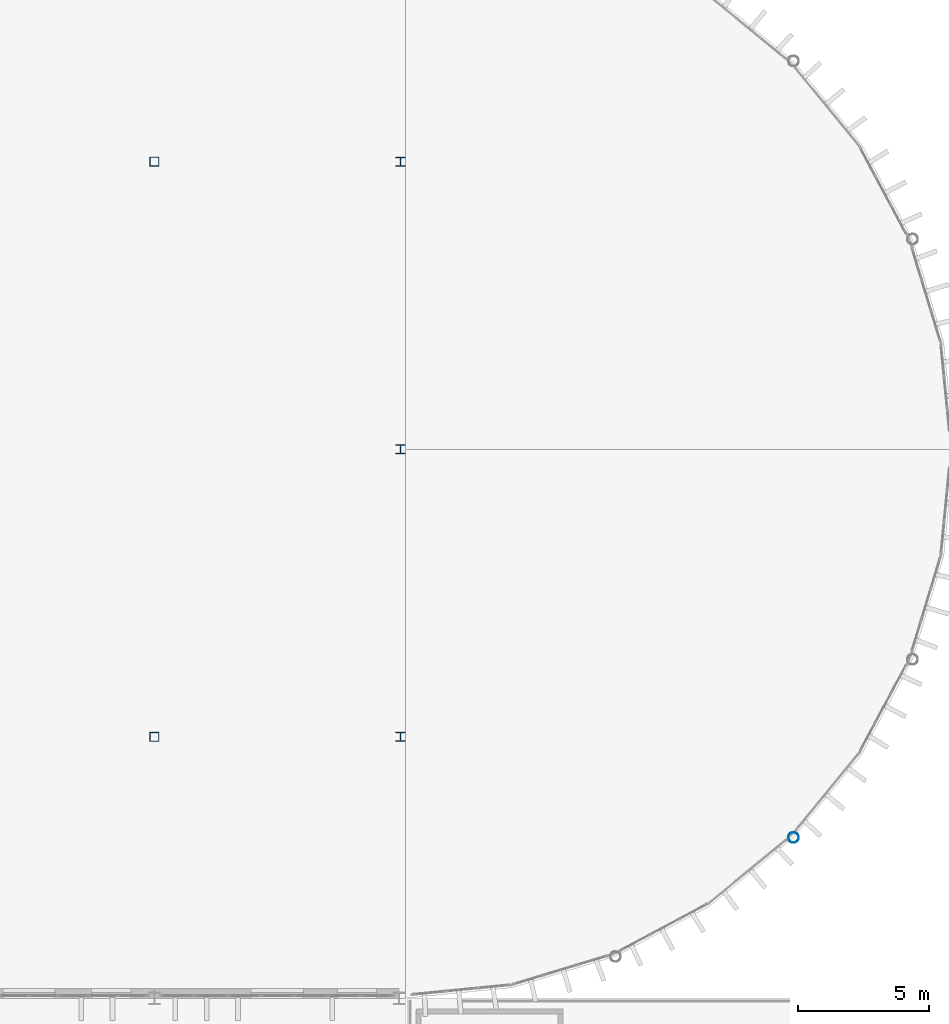
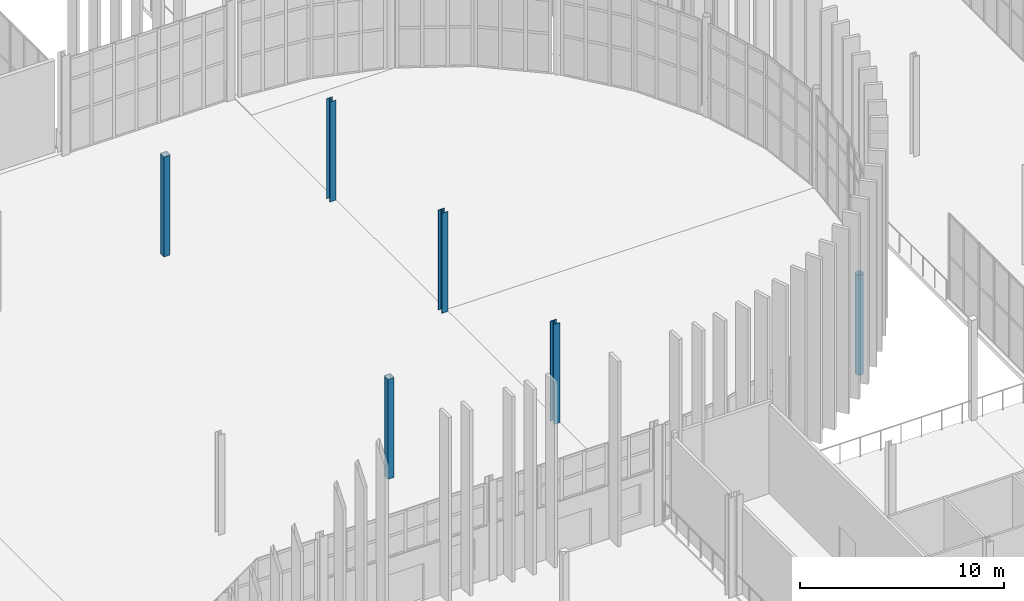
# One storey, part 19 of 139: 6 columns.
"""IFC4 building model written with IfcOpenShell, lengths in metres."""

from ifc_helpers import new_model, si_unit, direction, frame, origin, origin_2d, place, context, subcontext, project, spatial, hollow_rectangle, hollow_circle, i_section, extrude, material, material_profile, profile_set, type_object, element, save


model = new_model("IFC4")

# Units and contexts
model_context = context("Model", 3, precision=1e-05, world=origin(), true_north=direction((0.0, 1.0)))
body_context = subcontext(model_context, "Body", "Model", "MODEL_VIEW")
ifc_project = project(units=[si_unit("LENGTHUNIT", "METRE"), si_unit("AREAUNIT", "SQUARE_METRE"), si_unit("VOLUMEUNIT", "CUBIC_METRE"), si_unit("PLANEANGLEUNIT", "RADIAN"), si_unit("MASSUNIT", "GRAM", prefix="KILO")], contexts=[model_context])

# Site, building, storey
site_placement = place(None, origin())
site = spatial("IfcSite", under=ifc_project, at=site_placement, CompositionType="ELEMENT")
building_placement = place(site_placement, origin())
building = spatial("IfcBuilding", under=site, at=building_placement, Name="Yeouljin Market Hall", CompositionType="ELEMENT")
storey_placement = place(building_placement, origin())
storey = spatial("IfcBuildingStorey", under=building, at=storey_placement, Name="L00", CompositionType="ELEMENT", Elevation=0.0)

# Columns
ifc_material_1 = material(Name="Steel SM355", Category="steel")
ifc_material_profile_1 = material_profile(ifc_material_1, hollow_circle(Radius=0.203125, WallThickness=0.011962890625, at=origin_2d()), Name="CHS-406.4x12")
ifc_profile_set_1 = profile_set([ifc_material_profile_1], Name="Steel SM355")
column_type_1 = type_object("IfcColumnType", Name="Col_CHS-406.4x12", PredefinedType="COLUMN", material=ifc_profile_set_1)
column_placement = place(storey_placement, frame((155.84912109375, 42.15087890625, 0.0), z_axis=(0.0, 0.0, 1.0), x_axis=(1.0, 0.0, 0.0)))
element("IfcColumn", 1, at=column_placement, inside=storey, type_object=column_type_1, Name="Column AP-E04 (L00)", PredefinedType="COLUMN", context=body_context, shape_type="SweptSolid", body=[
    extrude(hollow_circle(Radius=0.203125, WallThickness=0.011962890625, at=origin_2d()), origin(), (0.0, 0.0, 1.0), 6.0),
])
ifc_material_2 = material(Name="Steel SM355", Category="steel")
ifc_material_profile_2 = material_profile(ifc_material_2, i_section(OverallWidth=0.35009765625, OverallDepth=0.35009765625, WebThickness=0.011962890625, FlangeThickness=0.01904296875, FilletRadius=0.02001953125, at=origin_2d()), Name="H-350x350x12x19")
ifc_profile_set_2 = profile_set([ifc_material_profile_2], Name="Steel SM355")
column_type_2 = type_object("IfcColumnType", Name="Col_H-350x350x12x19", PredefinedType="COLUMN", material=ifc_profile_set_2)
for number, where, z_axis, x_axis, name in (
    (2, (140.81005859375, 46.0, 0.0), (0.0, 0.0, 1.0), (1.0, 0.0, 0.0), "Column G-16-05 (L00)"),
    (3, (140.81005859375, 57.0, 0.0), (0.0, 0.0, 1.0), (1.0, 0.0, 0.0), "Column G-16-06 (L00)"),
    (4, (140.81005859375, 68.0, 0.0), (0.0, 0.0, 1.0), (1.0, 0.0, 0.0), "Column G-16-07 (L00)"),
):
    element("IfcColumn", number, at=place(storey_placement, frame(where, z_axis=z_axis, x_axis=x_axis)), inside=storey, type_object=column_type_2, Name=name, PredefinedType="COLUMN", context=body_context, shape_type="SweptSolid", body=[
        extrude(i_section(OverallWidth=0.35009765625, OverallDepth=0.35009765625, WebThickness=0.011962890625, FlangeThickness=0.01904296875, FilletRadius=0.02001953125, at=origin_2d()), origin(), (0.0, 0.0, 1.0), 6.0),
    ])
ifc_material_3 = material(Name="Steel SM355", Category="steel")
ifc_material_profile_3 = material_profile(ifc_material_3, hollow_rectangle(XDim=0.35009765625, YDim=0.35009765625, WallThickness=0.011962890625, InnerFilletRadius=0.011962890625, OuterFilletRadius=0.01611328125, at=origin_2d()), Name="SHS-350x350x12")
ifc_profile_set_3 = profile_set([ifc_material_profile_3], Name="Steel SM355")
column_type_3 = type_object("IfcColumnType", Name="Col_SHS-350x350x12", PredefinedType="COLUMN", material=ifc_profile_set_3)
for number, where, z_axis, x_axis, name in (
    (5, (131.39990234375, 46.0, 0.0), (0.0, 0.0, 1.0), (1.0, 0.0, 0.0), "Column G-15-05 (L00)"),
    (6, (131.39990234375, 68.0, 0.0), (0.0, 0.0, 1.0), (1.0, 0.0, 0.0), "Column G-15-07 (L00)"),
):
    element("IfcColumn", number, at=place(storey_placement, frame(where, z_axis=z_axis, x_axis=x_axis)), inside=storey, type_object=column_type_3, Name=name, PredefinedType="COLUMN", context=body_context, shape_type="SweptSolid", body=[
        extrude(hollow_rectangle(XDim=0.35009765625, YDim=0.35009765625, WallThickness=0.011962890625, InnerFilletRadius=0.011962890625, OuterFilletRadius=0.01611328125, at=origin_2d()), origin(), (0.0, 0.0, 1.0), 6.0),
    ])

save(model, "model.ifc")
